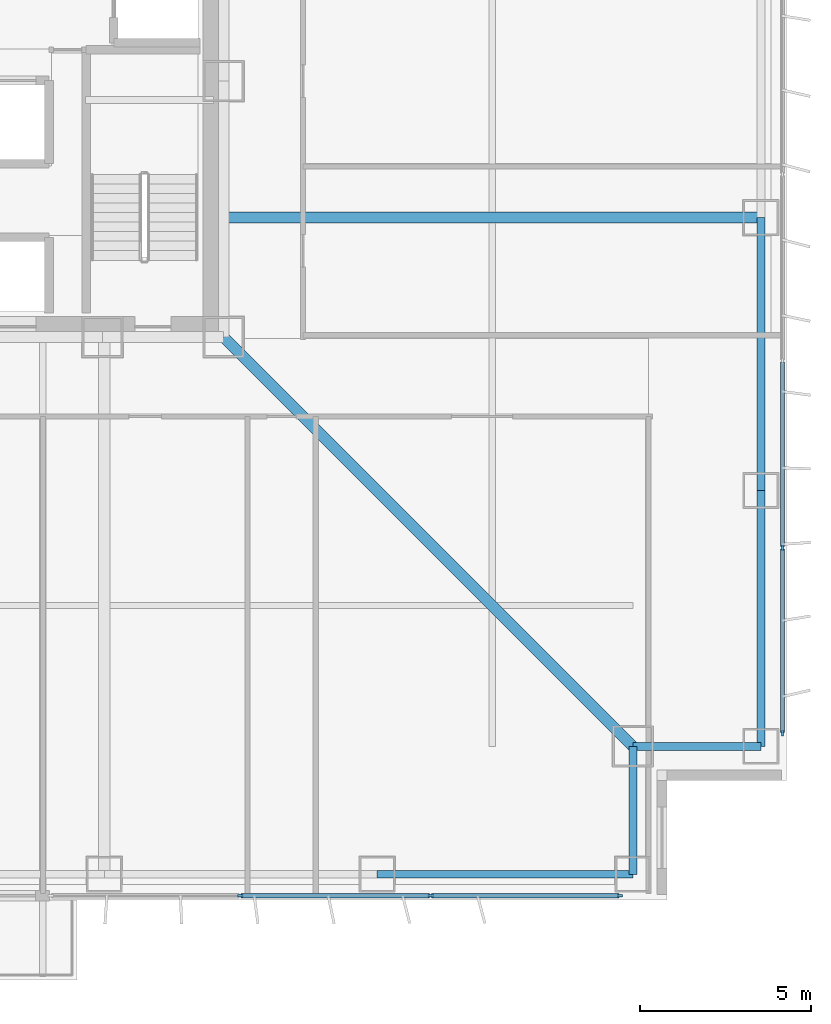
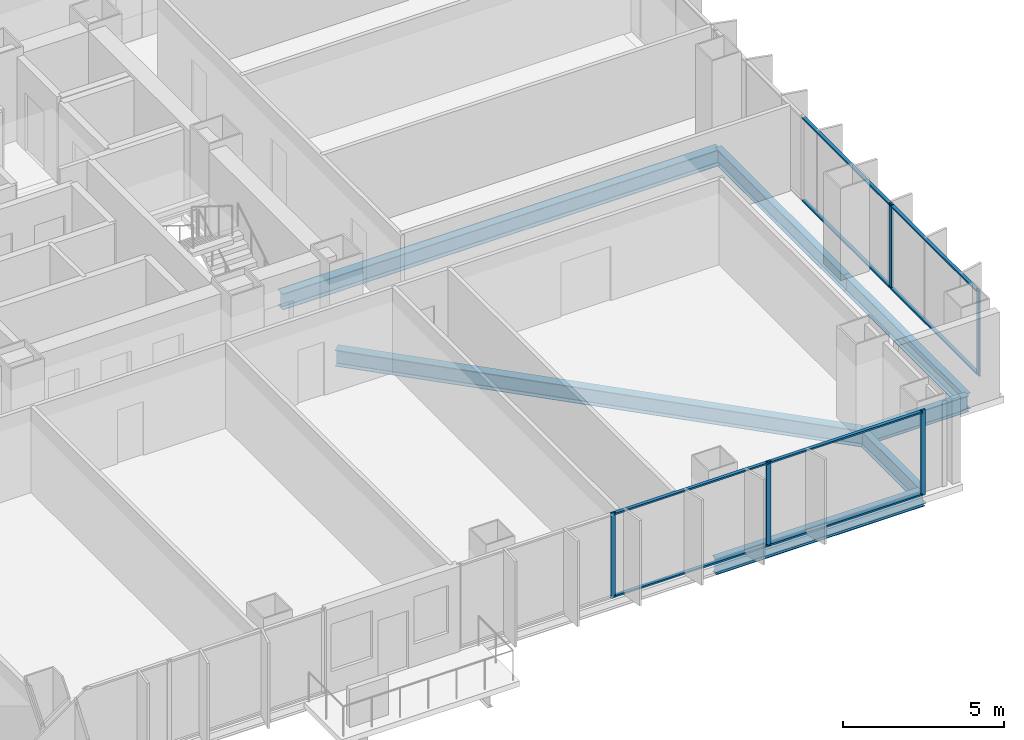
# One storey, part 6 of 21: 13 members, 7 beams, 2 elements without a shape of their own.
"""IFC4 building model written with IfcOpenShell, lengths in metres."""

from ifc_helpers import new_model, si_unit, direction, frame, origin, origin_2d, place, context, subcontext, project, spatial, rectangle, i_section, extrude, material, layer, layer_set, material_profile, profile_set, type_object, element, aggregate, save


model = new_model("IFC4")

# Units and contexts
model_context = context("Model", 3, precision=1e-05, world=origin(), true_north=direction((0.0, 1.0)))
body_context = subcontext(model_context, "Body", "Model", "MODEL_VIEW")
ifc_project = project(units=[si_unit("LENGTHUNIT", "METRE"), si_unit("AREAUNIT", "SQUARE_METRE"), si_unit("VOLUMEUNIT", "CUBIC_METRE"), si_unit("PLANEANGLEUNIT", "RADIAN"), si_unit("MASSUNIT", "GRAM", prefix="KILO")], contexts=[model_context])

# Site, building, storey
site_placement = place(None, origin())
site = spatial("IfcSite", under=ifc_project, at=site_placement, CompositionType="ELEMENT")
building_placement = place(site_placement, origin())
building = spatial("IfcBuilding", under=site, at=building_placement, Name="Trevonay Congress Spire", CompositionType="ELEMENT")
storey_placement = place(building_placement, frame((0.0, 0.0, 37.5)))
storey = spatial("IfcBuildingStorey", under=building, at=storey_placement, Name="L08", CompositionType="ELEMENT", Elevation=37.5)

# Beams
ifc_material_1 = material(Name="Steel ASTM A572 Grade 50", Category="steel")
ifc_material_profile_1 = material_profile(ifc_material_1, i_section(OverallWidth=0.324951171875, OverallDepth=0.615966796875, WebThickness=0.013916015625, FlangeThickness=0.021484375, FilletRadius=0.01806640625, at=origin_2d()), Name="W610x174")
ifc_profile_set_1 = profile_set([ifc_material_profile_1], Name="Steel ASTM A572 Grade 50")
beam_type_1 = type_object("IfcBeamType", Name="BM-GIRD-W610X174", PredefinedType="BEAM", material=ifc_profile_set_1)
beam_1_placement = place(storey_placement, frame((7.5, -7.5, -0.55810546875), z_axis=(0.707106781187, -0.707106781187, 0.0), x_axis=(0.707106781187, 0.707106781187, 0.0)))
element("IfcBeam", 1, at=beam_1_placement, inside=storey, type_object=beam_type_1, Name="L08 structural beam BM-L08-CDSE", PredefinedType="BEAM", context=body_context, shape_type="SweptSolid", body=[
    extrude(i_section(OverallWidth=0.324951171875, OverallDepth=0.615966796875, WebThickness=0.013916015625, FlangeThickness=0.021484375, FilletRadius=0.01806640625, at=origin_2d()), origin(), (0.0, 0.0, 1.0), 16.970458984375),
])
beam_2_placement = place(storey_placement, frame((7.5, -4.0, -0.55810546875), z_axis=(1.0, 0.0, 0.0), x_axis=(0.0, 1.0, 0.0)))
element("IfcBeam", 2, at=beam_2_placement, inside=storey, type_object=beam_type_1, Name="L08 structural beam BM-L08-GE-M", PredefinedType="BEAM", context=body_context, shape_type="SweptSolid", body=[
    extrude(i_section(OverallWidth=0.324951171875, OverallDepth=0.615966796875, WebThickness=0.013916015625, FlangeThickness=0.021484375, FilletRadius=0.01806640625, at=origin_2d()), origin(), (0.0, 0.0, 1.0), 15.75),
])
ifc_material_profile_2 = material_profile(ifc_material_1, i_section(OverallWidth=0.22998046875, OverallDepth=0.616943359375, WebThickness=0.01318359375, FlangeThickness=0.022216796875, FilletRadius=0.01611328125, at=origin_2d()), Name="W610x140")
ifc_profile_set_2 = profile_set([ifc_material_profile_2], Name="Steel ASTM A572 Grade 50")
beam_type_2 = type_object("IfcBeamType", Name="BM-RING-W610X140", PredefinedType="BEAM", material=ifc_profile_set_2)
beam_3_placement = place(storey_placement, frame((23.25, -19.5, -0.55859375), z_axis=(0.0, 1.0, 0.0), x_axis=(-1.0, 0.0, 0.0)))
element("IfcBeam", 3, at=beam_3_placement, inside=storey, type_object=beam_type_2, Name="L08 structural beam BM-L08-PE1", PredefinedType="BEAM", context=body_context, shape_type="SweptSolid", body=[
    extrude(i_section(OverallWidth=0.22998046875, OverallDepth=0.616943359375, WebThickness=0.01318359375, FlangeThickness=0.022216796875, FilletRadius=0.01611328125, at=origin_2d()), origin(), (0.0, 0.0, 1.0), 7.5),
])
beam_4_placement = place(storey_placement, frame((23.25, -12.0, -0.55859375), z_axis=(0.0, 1.0, 0.0), x_axis=(-1.0, 0.0, 0.0)))
element("IfcBeam", 4, at=beam_4_placement, inside=storey, type_object=beam_type_2, Name="L08 structural beam BM-L08-PE2", PredefinedType="BEAM", context=body_context, shape_type="SweptSolid", body=[
    extrude(i_section(OverallWidth=0.22998046875, OverallDepth=0.616943359375, WebThickness=0.01318359375, FlangeThickness=0.022216796875, FilletRadius=0.01611328125, at=origin_2d()), origin(), (0.0, 0.0, 1.0), 8.0),
])
beam_5_placement = place(storey_placement, frame((12.0, -23.25, -0.55859375), z_axis=(1.0, 0.0, 0.0), x_axis=(0.0, 1.0, 0.0)))
element("IfcBeam", 5, at=beam_5_placement, inside=storey, type_object=beam_type_2, Name="L08 structural beam BM-L08-PS5", PredefinedType="BEAM", context=body_context, shape_type="SweptSolid", body=[
    extrude(i_section(OverallWidth=0.22998046875, OverallDepth=0.616943359375, WebThickness=0.01318359375, FlangeThickness=0.022216796875, FilletRadius=0.01611328125, at=origin_2d()), origin(), (0.0, 0.0, 1.0), 7.5),
])
for number, where, z_axis, x_axis, name in (
    (6, (19.5, -23.25, -0.55859375), (0.0, 1.0, 0.0), (-1.0, 0.0, 0.0), "L08 structural beam BM-L08-N1SE"),
    (7, (23.25, -19.5, -0.55859375), (-1.0, 0.0, 0.0), (0.0, -1.0, 0.0), "L08 structural beam BM-L08-N2SE"),
):
    element("IfcBeam", number, at=place(storey_placement, frame(where, z_axis=z_axis, x_axis=x_axis)), inside=storey, type_object=beam_type_2, Name=name, PredefinedType="BEAM", context=body_context, shape_type="SweptSolid", body=[
        extrude(i_section(OverallWidth=0.22998046875, OverallDepth=0.616943359375, WebThickness=0.01318359375, FlangeThickness=0.022216796875, FilletRadius=0.01611328125, at=origin_2d()), origin(), (0.0, 0.0, 1.0), 3.75),
    ])

# Curtain wall, members
ifc_material_2 = material(Name="Pale Anodised Aluminium EN AW-6063-T6", Category="aluminium")
ifc_layer = layer(ifc_material_2, 0.179931640625, Name="Pale Anodised Aluminium EN AW-6063-T6")
ifc_layer_set = layer_set([ifc_layer], Name="Pale Anodised Aluminium EN AW-6063-T6")
curtain_wall_type = type_object("IfcCurtainWallType", Name="CW-SYS02-HOTEL-PALE-METAL", PredefinedType="NOTDEFINED", material=ifc_layer_set)
curtain_wall_1_placement = place(storey_placement, origin())
curtain_wall_1 = element("IfcCurtainWall", 8, at=curtain_wall_1_placement, inside=storey, type_object=curtain_wall_type, Name="L08 SB unitised curtain wall", PredefinedType="NOTDEFINED")
ifc_material_profile_3 = material_profile(ifc_material_2, rectangle(XDim=0.06005859375, YDim=0.159912109375, at=origin_2d()), Name="CW-MULLION-160-ALUMINIUM")
ifc_profile_set_3 = profile_set([ifc_material_profile_3], Name="Pale Anodised Aluminium EN AW-6063-T6")
member_type_1 = type_object("IfcMemberType", Name="CW-MULLION-160-ALUMINIUM", PredefinedType="MULLION", material=ifc_profile_set_3)
member_1_placement = place(storey_placement, frame((7.9833984375, -23.8798828125, 0.0), z_axis=(0.0, 0.0, 1.0), x_axis=(0.0, 1.0, 0.0)))
member_1 = element("IfcMember", 9, at=member_1_placement, type_object=member_type_1, Name="CW02 mullion 2", PredefinedType="MULLION", context=body_context, shape_type="SweptSolid", body=[
    extrude(rectangle(XDim=0.06005859375, YDim=0.159912109375, at=origin_2d()), origin(), (0.0, 0.0, 1.0), 3.25),
])
member_2_placement = place(storey_placement, frame((13.566650390625, -23.8798828125, 0.0), z_axis=(0.0, 0.0, 1.0), x_axis=(0.0, 1.0, 0.0)))
member_2 = element("IfcMember", 10, at=member_2_placement, type_object=member_type_1, Name="CW02 mullion 3", PredefinedType="MULLION", context=body_context, shape_type="SweptSolid", body=[
    extrude(rectangle(XDim=0.06005859375, YDim=0.159912109375, at=origin_2d()), origin(), (0.0, 0.0, 1.0), 3.25),
])
member_3_placement = place(storey_placement, frame((19.1201171875, -23.8798828125, 0.0), z_axis=(0.0, 0.0, 1.0), x_axis=(0.0, 1.0, 0.0)))
member_3 = element("IfcMember", 11, at=member_3_placement, type_object=member_type_1, Name="CW02 mullion 4", PredefinedType="MULLION", context=body_context, shape_type="SweptSolid", body=[
    extrude(rectangle(XDim=0.06005859375, YDim=0.159912109375, at=origin_2d()), origin(), (0.0, 0.0, 1.0), 3.25),
])

curtain_wall_2_placement = place(storey_placement, origin())
curtain_wall_2 = element("IfcCurtainWall", 12, at=curtain_wall_2_placement, inside=storey, type_object=curtain_wall_type, Name="L08 E unitised curtain wall", PredefinedType="NOTDEFINED")
member_4_placement = place(storey_placement, frame((23.8798828125, -19.1201171875, 0.0), z_axis=(0.0, 0.0, 1.0), x_axis=(-1.0, 0.0, 0.0)))
member_4 = element("IfcMember", 13, at=member_4_placement, type_object=member_type_1, Name="CW02 mullion 1", PredefinedType="MULLION", context=body_context, shape_type="SweptSolid", body=[
    extrude(rectangle(XDim=0.06005859375, YDim=0.159912109375, at=origin_2d()), origin(), (0.0, 0.0, 1.0), 3.25),
])
member_5_placement = place(storey_placement, frame((23.8798828125, -13.678466796875, 0.0), z_axis=(0.0, 0.0, 1.0), x_axis=(-1.0, 0.0, 0.0)))
member_5 = element("IfcMember", 14, at=member_5_placement, type_object=member_type_1, Name="CW02 mullion 2", PredefinedType="MULLION", context=body_context, shape_type="SweptSolid", body=[
    extrude(rectangle(XDim=0.06005859375, YDim=0.159912109375, at=origin_2d()), origin(), (0.0, 0.0, 1.0), 3.25),
])

# Member
ifc_material_profile_4 = material_profile(ifc_material_2, rectangle(XDim=0.1201171875, YDim=0.06005859375, at=origin_2d()), Name="CW-TRANSOM-120-ALUMINIUM")
ifc_profile_set_4 = profile_set([ifc_material_profile_4], Name="Pale Anodised Aluminium EN AW-6063-T6")
member_type_2 = type_object("IfcMemberType", Name="CW-TRANSOM-120-ALUMINIUM", PredefinedType="USERDEFINED", material=ifc_profile_set_4)
member_6_placement = place(storey_placement, frame((8.013427734375, -23.8798828125, 0.06005859375), z_axis=(1.0, 0.0, 0.0), x_axis=(0.0, 1.0, 0.0)))
member_6 = element("IfcMember", 15, at=member_6_placement, type_object=member_type_2, Name="CW02 transom 2.1", ObjectType="TRANSOM", PredefinedType="USERDEFINED", context=body_context, shape_type="SweptSolid", body=[
    extrude(rectangle(XDim=0.1201171875, YDim=0.06005859375, at=origin_2d()), origin(), (0.0, 0.0, 1.0), 5.523193359375),
])

member_7_placement = place(storey_placement, frame((8.013427734375, -23.8798828125, 3.18994140625), z_axis=(1.0, 0.0, 0.0), x_axis=(0.0, 1.0, 0.0)))
member_7 = element("IfcMember", 16, at=member_7_placement, type_object=member_type_2, Name="CW02 transom 2.2", ObjectType="TRANSOM", PredefinedType="USERDEFINED", context=body_context, shape_type="SweptSolid", body=[
    extrude(rectangle(XDim=0.1201171875, YDim=0.06005859375, at=origin_2d()), origin(), (0.0, 0.0, 1.0), 5.523193359375),
])

member_8_placement = place(storey_placement, frame((13.5966796875, -23.8798828125, 0.06005859375), z_axis=(1.0, 0.0, 0.0), x_axis=(0.0, 1.0, 0.0)))
member_8 = element("IfcMember", 17, at=member_8_placement, type_object=member_type_2, Name="CW02 transom 3.1", ObjectType="TRANSOM", PredefinedType="USERDEFINED", context=body_context, shape_type="SweptSolid", body=[
    extrude(rectangle(XDim=0.1201171875, YDim=0.06005859375, at=origin_2d()), origin(), (0.0, 0.0, 1.0), 5.493408203125),
])

member_9_placement = place(storey_placement, frame((13.5966796875, -23.8798828125, 3.18994140625), z_axis=(1.0, 0.0, 0.0), x_axis=(0.0, 1.0, 0.0)))
member_9 = element("IfcMember", 18, at=member_9_placement, type_object=member_type_2, Name="CW02 transom 3.2", ObjectType="TRANSOM", PredefinedType="USERDEFINED", context=body_context, shape_type="SweptSolid", body=[
    extrude(rectangle(XDim=0.1201171875, YDim=0.06005859375, at=origin_2d()), origin(), (0.0, 0.0, 1.0), 5.493408203125),
])

aggregate(curtain_wall_1, [member_1, member_2, member_3, member_6, member_7, member_8, member_9])

member_10_placement = place(storey_placement, frame((23.8798828125, -19.090087890625, 0.06005859375), z_axis=(0.0, 1.0, 0.0), x_axis=(-1.0, 0.0, 0.0)))
member_10 = element("IfcMember", 19, at=member_10_placement, type_object=member_type_2, Name="CW02 transom 1.1", ObjectType="TRANSOM", PredefinedType="USERDEFINED", context=body_context, shape_type="SweptSolid", body=[
    extrude(rectangle(XDim=0.1201171875, YDim=0.06005859375, at=origin_2d()), origin(), (0.0, 0.0, 1.0), 5.381591796875),
])

member_11_placement = place(storey_placement, frame((23.8798828125, -19.090087890625, 3.18994140625), z_axis=(0.0, 1.0, 0.0), x_axis=(-1.0, 0.0, 0.0)))
member_11 = element("IfcMember", 20, at=member_11_placement, type_object=member_type_2, Name="CW02 transom 1.2", ObjectType="TRANSOM", PredefinedType="USERDEFINED", context=body_context, shape_type="SweptSolid", body=[
    extrude(rectangle(XDim=0.1201171875, YDim=0.06005859375, at=origin_2d()), origin(), (0.0, 0.0, 1.0), 5.381591796875),
])

member_12_placement = place(storey_placement, frame((23.8798828125, -13.648681640625, 0.06005859375), z_axis=(0.0, 1.0, 0.0), x_axis=(-1.0, 0.0, 0.0)))
member_12 = element("IfcMember", 21, at=member_12_placement, type_object=member_type_2, Name="CW02 transom 2.1", ObjectType="TRANSOM", PredefinedType="USERDEFINED", context=body_context, shape_type="SweptSolid", body=[
    extrude(rectangle(XDim=0.1201171875, YDim=0.06005859375, at=origin_2d()), origin(), (0.0, 0.0, 1.0), 5.41162109375),
])

member_13_placement = place(storey_placement, frame((23.8798828125, -13.648681640625, 3.18994140625), z_axis=(0.0, 1.0, 0.0), x_axis=(-1.0, 0.0, 0.0)))
member_13 = element("IfcMember", 22, at=member_13_placement, type_object=member_type_2, Name="CW02 transom 2.2", ObjectType="TRANSOM", PredefinedType="USERDEFINED", context=body_context, shape_type="SweptSolid", body=[
    extrude(rectangle(XDim=0.1201171875, YDim=0.06005859375, at=origin_2d()), origin(), (0.0, 0.0, 1.0), 5.41162109375),
])

aggregate(curtain_wall_2, [member_4, member_5, member_10, member_11, member_12, member_13])

save(model, "model.ifc")
